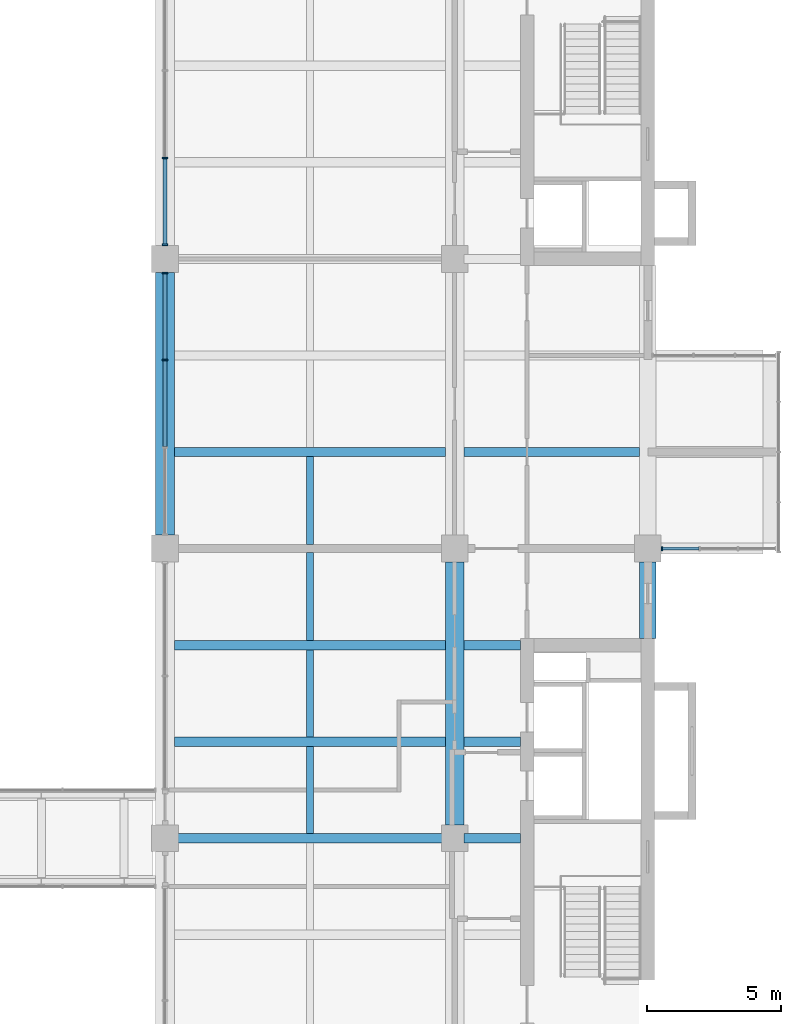
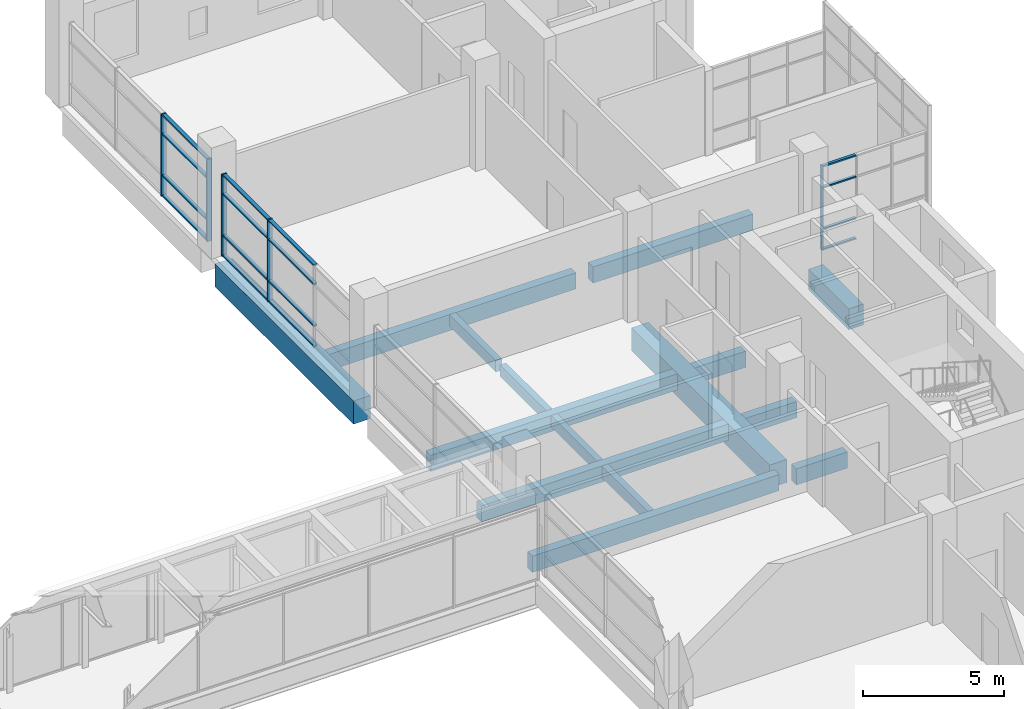
# One storey, part 14 of 35: 21 members, 15 beams, 3 elements without a shape of their own.
"""IFC4 building model written with IfcOpenShell, lengths in metres."""

from ifc_helpers import new_model, si_unit, direction, frame, origin, origin_2d, place, context, subcontext, project, spatial, rectangle, extrude, material, layer, layer_set, material_profile, profile_set, type_object, element, aggregate, save


model = new_model("IFC4")

# Units and contexts
model_context = context("Model", 3, precision=1e-05, world=origin(), true_north=direction((0.0, 1.0)))
body_context = subcontext(model_context, "Body", "Model", "MODEL_VIEW")
ifc_project = project(units=[si_unit("LENGTHUNIT", "METRE"), si_unit("AREAUNIT", "SQUARE_METRE"), si_unit("VOLUMEUNIT", "CUBIC_METRE"), si_unit("PLANEANGLEUNIT", "RADIAN"), si_unit("MASSUNIT", "GRAM", prefix="KILO")], contexts=[model_context])

# Site, building, storey
site_placement = place(None, origin())
site = spatial("IfcSite", under=ifc_project, at=site_placement, CompositionType="ELEMENT")
building_placement = place(site_placement, origin())
building = spatial("IfcBuilding", under=site, at=building_placement, Name="Basin Gate Institute", CompositionType="ELEMENT")
storey_placement = place(building_placement, frame((0.0, 0.0, 31.800048828125)))
storey = spatial("IfcBuildingStorey", under=building, at=storey_placement, Name="L06", CompositionType="ELEMENT", Elevation=31.800048828125)

# Beams
ifc_material_1 = material(Name="Concrete 40 MPa", Category="concrete")
ifc_material_profile_1 = material_profile(ifc_material_1, rectangle(XDim=0.35009765625, YDim=0.699951171875, at=origin_2d()), Name="Beam B1 350 x 700")
ifc_profile_set_1 = profile_set([ifc_material_profile_1], Name="Concrete 40 MPa")
beam_type_1 = type_object("IfcBeamType", Name="Beam B1 R120", PredefinedType="BEAM", material=ifc_profile_set_1)
beam_1_placement = place(storey_placement, frame((111.25, 67.5, -0.60009765625), z_axis=(-1.0, 0.0, 0.0), x_axis=(0.0, -1.0, 0.0)))
element("IfcBeam", 1, at=beam_1_placement, inside=storey, type_object=beam_type_1, material=ifc_profile_set_1, Name="BEAM/L06/E/EW/10", PredefinedType="BEAM", context=body_context, shape_type="SweptSolid", body=[
    extrude(rectangle(XDim=0.35009765625, YDim=0.699951171875, at=origin_2d()), origin(), (0.0, 0.0, 1.0), 10.10009765625),
])
beam_2_placement = place(storey_placement, frame((114.050048828125, 67.5, -0.60009765625), z_axis=(-1.0, 0.0, 0.0), x_axis=(0.0, -1.0, 0.0)))
element("IfcBeam", 2, at=beam_2_placement, inside=storey, type_object=beam_type_1, material=ifc_profile_set_1, Name="BEAM/L06/E/CORR/10", PredefinedType="BEAM", context=body_context, shape_type="SweptSolid", body=[
    extrude(rectangle(XDim=0.35009765625, YDim=0.699951171875, at=origin_2d()), origin(), (0.0, 0.0, 1.0), 2.10009765625),
])
beam_3_placement = place(storey_placement, frame((111.25, 71.10009765625, -0.60009765625), z_axis=(-1.0, 0.0, 0.0), x_axis=(0.0, -1.0, 0.0)))
element("IfcBeam", 3, at=beam_3_placement, inside=storey, type_object=beam_type_1, material=ifc_profile_set_1, Name="BEAM/L06/E/EW/11", PredefinedType="BEAM", context=body_context, shape_type="SweptSolid", body=[
    extrude(rectangle(XDim=0.35009765625, YDim=0.699951171875, at=origin_2d()), origin(), (0.0, 0.0, 1.0), 10.10009765625),
])
beam_4_placement = place(storey_placement, frame((114.050048828125, 71.10009765625, -0.60009765625), z_axis=(-1.0, 0.0, 0.0), x_axis=(0.0, -1.0, 0.0)))
element("IfcBeam", 4, at=beam_4_placement, inside=storey, type_object=beam_type_1, material=ifc_profile_set_1, Name="BEAM/L06/E/CORR/11", PredefinedType="BEAM", context=body_context, shape_type="SweptSolid", body=[
    extrude(rectangle(XDim=0.35009765625, YDim=0.699951171875, at=origin_2d()), origin(), (0.0, 0.0, 1.0), 2.10009765625),
])
beam_5_placement = place(storey_placement, frame((111.25, 74.699951171875, -0.60009765625), z_axis=(-1.0, 0.0, 0.0), x_axis=(0.0, -1.0, 0.0)))
element("IfcBeam", 5, at=beam_5_placement, inside=storey, type_object=beam_type_1, material=ifc_profile_set_1, Name="BEAM/L06/E/EW/12", PredefinedType="BEAM", context=body_context, shape_type="SweptSolid", body=[
    extrude(rectangle(XDim=0.35009765625, YDim=0.699951171875, at=origin_2d()), origin(), (0.0, 0.0, 1.0), 10.10009765625),
])
beam_6_placement = place(storey_placement, frame((114.050048828125, 74.699951171875, -0.60009765625), z_axis=(-1.0, 0.0, 0.0), x_axis=(0.0, -1.0, 0.0)))
element("IfcBeam", 6, at=beam_6_placement, inside=storey, type_object=beam_type_1, material=ifc_profile_set_1, Name="BEAM/L06/E/CORR/12", PredefinedType="BEAM", context=body_context, shape_type="SweptSolid", body=[
    extrude(rectangle(XDim=0.35009765625, YDim=0.699951171875, at=origin_2d()), origin(), (0.0, 0.0, 1.0), 2.10009765625),
])
beam_7_placement = place(storey_placement, frame((111.25, 81.89990234375, -0.60009765625), z_axis=(-1.0, 0.0, 0.0), x_axis=(0.0, -1.0, 0.0)))
element("IfcBeam", 7, at=beam_7_placement, inside=storey, type_object=beam_type_1, material=ifc_profile_set_1, Name="BEAM/L06/E/EW/14", PredefinedType="BEAM", context=body_context, shape_type="SweptSolid", body=[
    extrude(rectangle(XDim=0.35009765625, YDim=0.699951171875, at=origin_2d()), origin(), (0.0, 0.0, 1.0), 10.10009765625),
])
beam_8_placement = place(storey_placement, frame((118.5, 81.89990234375, -0.60009765625), z_axis=(-1.0, 0.0, 0.0), x_axis=(0.0, -1.0, 0.0)))
element("IfcBeam", 8, at=beam_8_placement, inside=storey, type_object=beam_type_1, material=ifc_profile_set_1, Name="BEAM/L06/E/OUT/14", PredefinedType="BEAM", context=body_context, shape_type="SweptSolid", body=[
    extrude(rectangle(XDim=0.35009765625, YDim=0.699951171875, at=origin_2d()), origin(), (0.0, 0.0, 1.0), 6.550048828125),
])
ifc_material_2 = material(Name="Concrete 50 MPa", Category="concrete")
ifc_material_profile_2 = material_profile(ifc_material_2, rectangle(XDim=0.60009765625, YDim=0.89990234375, at=origin_2d()), Name="Edge return beam EB3 600 x 900")
ifc_profile_set_2 = profile_set([ifc_material_profile_2], Name="Concrete 50 MPa")
beam_type_2 = type_object("IfcBeamType", Name="Edge return beam EB3 R120", PredefinedType="SPANDREL", material=ifc_profile_set_2)
beam_9_placement = place(storey_placement, frame((118.800048828125, 74.949951171875, -0.699951171875), z_axis=(0.0, 1.0, 0.0), x_axis=(-1.0, 0.0, 0.0)))
element("IfcBeam", 9, at=beam_9_placement, inside=storey, type_object=beam_type_2, material=ifc_profile_set_2, Name="BEAM/L06/E/EDGE/3", PredefinedType="SPANDREL", context=body_context, shape_type="SweptSolid", body=[
    extrude(rectangle(XDim=0.60009765625, YDim=0.89990234375, at=origin_2d()), origin(), (0.0, 0.0, 1.0), 2.85009765625),
])
ifc_material_3 = material(Name="Concrete 50 MPa", Category="concrete")
ifc_material_profile_3 = material_profile(ifc_material_3, rectangle(XDim=0.699951171875, YDim=1.0, at=origin_2d()), Name="Girder G1 700 x 1000")
ifc_profile_set_3 = profile_set([ifc_material_profile_3], Name="Concrete 50 MPa")
beam_type_3 = type_object("IfcBeamType", Name="Girder G1 R120", PredefinedType="BEAM", material=ifc_profile_set_3)
for number, where, z_axis, x_axis, name in (
    (10, (111.60009765625, 68.0, -0.75), (0.0, 1.0, 0.0), (-1.0, 0.0, 0.0), "GIR/L06/E8/4"),
    (11, (100.800048828125, 78.800048828125, -0.75), (0.0, 1.0, 0.0), (-1.0, 0.0, 0.0), "GIR/L06/E7/5"),
):
    element("IfcBeam", number, at=place(storey_placement, frame(where, z_axis=z_axis, x_axis=x_axis)), inside=storey, type_object=beam_type_3, material=ifc_profile_set_3, Name=name, PredefinedType="BEAM", context=body_context, shape_type="SweptSolid", body=[
        extrude(rectangle(XDim=0.699951171875, YDim=1.0, at=origin_2d()), origin(), (0.0, 0.0, 1.0), 9.800048828125),
    ])

# Curtain wall, member
ifc_material_4 = material(Name="Aluminium-framed glazing", Category="aluminium")
ifc_layer_1 = layer(ifc_material_4, 0.14990234375)
ifc_layer_set_1 = layer_set([ifc_layer_1], Name="Capsule front curtain wall CW1")
curtain_wall_type_1 = type_object("IfcCurtainWallType", Name="Capsule front curtain wall CW1", PredefinedType="NOTDEFINED", material=ifc_layer_set_1)
curtain_wall_1_placement = place(storey_placement, origin())
curtain_wall_1 = element("IfcCurtainWall", 12, at=curtain_wall_1_placement, inside=storey, type_object=curtain_wall_type_1, material=ifc_layer_set_1, Name="Capsule front curtain wall E wing capsule end L06 line 13", PredefinedType="NOTDEFINED")
ifc_material_5 = material(Name="Aluminium", Category="aluminium")
ifc_material_profile_4 = material_profile(ifc_material_5, rectangle(XDim=0.14990234375, YDim=0.050048828125, at=origin_2d()), Name="Mullion MU1 150 x 50")
ifc_profile_set_4 = profile_set([ifc_material_profile_4], Name="Aluminium")
member_type_1 = type_object("IfcMemberType", Name="Mullion MU1", PredefinedType="MULLION", material=ifc_profile_set_4)
member_1_placement = place(storey_placement, frame((119.324951171875, 78.300048828125, 0.0), z_axis=(0.0, 0.0, 1.0), x_axis=(0.0, -1.0, 0.0)))
member_1 = element("IfcMember", 13, at=member_1_placement, type_object=member_type_1, material=ifc_profile_set_4, Name="CW1 mullion 4", PredefinedType="MULLION", context=body_context, shape_type="SweptSolid", body=[
    extrude(rectangle(XDim=0.14990234375, YDim=0.050048828125, at=origin_2d()), origin(), (0.0, 0.0, 1.0), 3.64990234375),
])

# Curtain wall, members
ifc_material_6 = material(Name="Aluminium-framed glazing", Category="aluminium")
ifc_layer_2 = layer(ifc_material_6, 0.199951171875)
ifc_layer_set_2 = layer_set([ifc_layer_2], Name="Atrium curtain wall CW2")
curtain_wall_type_2 = type_object("IfcCurtainWallType", Name="Atrium curtain wall CW2", PredefinedType="NOTDEFINED", material=ifc_layer_set_2)
curtain_wall_2_placement = place(storey_placement, origin())
curtain_wall_2 = element("IfcCurtainWall", 14, at=curtain_wall_2_placement, inside=storey, type_object=curtain_wall_type_2, material=ifc_layer_set_2, Name="Atrium curtain wall E wing atrium bay 5 L06", PredefinedType="NOTDEFINED")
ifc_material_7 = material(Name="Aluminium", Category="aluminium")
ifc_material_profile_5 = material_profile(ifc_material_7, rectangle(XDim=0.199951171875, YDim=0.06005859375, at=origin_2d()), Name="Mullion MU2 200 x 60")
ifc_profile_set_5 = profile_set([ifc_material_profile_5], Name="Aluminium")
member_type_2 = type_object("IfcMemberType", Name="Mullion MU2", PredefinedType="MULLION", material=ifc_profile_set_5)
member_2_placement = place(storey_placement, frame((100.800048828125, 85.333251953125, 0.0), z_axis=(0.0, 0.0, 1.0), x_axis=(-1.0, 0.0, 0.0)))
member_2 = element("IfcMember", 15, at=member_2_placement, type_object=member_type_2, material=ifc_profile_set_5, Name="CW2 mullion 3", PredefinedType="MULLION", context=body_context, shape_type="SweptSolid", body=[
    extrude(rectangle(XDim=0.199951171875, YDim=0.06005859375, at=origin_2d()), origin(), (0.0, 0.0, 1.0), 3.550048828125),
])
member_3_placement = place(storey_placement, frame((100.800048828125, 88.570068359375, 0.0), z_axis=(0.0, 0.0, 1.0), x_axis=(-1.0, 0.0, 0.0)))
member_3 = element("IfcMember", 16, at=member_3_placement, type_object=member_type_2, material=ifc_profile_set_5, Name="CW2 mullion 4", PredefinedType="MULLION", context=body_context, shape_type="SweptSolid", body=[
    extrude(rectangle(XDim=0.199951171875, YDim=0.06005859375, at=origin_2d()), origin(), (0.0, 0.0, 1.0), 3.550048828125),
])

curtain_wall_3_placement = place(storey_placement, origin())
curtain_wall_3 = element("IfcCurtainWall", 17, at=curtain_wall_3_placement, inside=storey, type_object=curtain_wall_type_2, material=ifc_layer_set_2, Name="Atrium curtain wall E wing atrium bay 6 L06", PredefinedType="NOTDEFINED")
member_4_placement = place(storey_placement, frame((100.800048828125, 89.6298828125, 0.0), z_axis=(0.0, 0.0, 1.0), x_axis=(-1.0, 0.0, 0.0)))
member_4 = element("IfcMember", 18, at=member_4_placement, type_object=member_type_2, material=ifc_profile_set_5, Name="CW2 mullion 1", PredefinedType="MULLION", context=body_context, shape_type="SweptSolid", body=[
    extrude(rectangle(XDim=0.199951171875, YDim=0.06005859375, at=origin_2d()), origin(), (0.0, 0.0, 1.0), 3.550048828125),
])
member_5_placement = place(storey_placement, frame((100.800048828125, 92.86669921875, 0.0), z_axis=(0.0, 0.0, 1.0), x_axis=(-1.0, 0.0, 0.0)))
member_5 = element("IfcMember", 19, at=member_5_placement, type_object=member_type_2, material=ifc_profile_set_5, Name="CW2 mullion 2", PredefinedType="MULLION", context=body_context, shape_type="SweptSolid", body=[
    extrude(rectangle(XDim=0.199951171875, YDim=0.06005859375, at=origin_2d()), origin(), (0.0, 0.0, 1.0), 3.550048828125),
])

# Beams
ifc_material_8 = material(Name="Concrete 40 MPa", Category="concrete")
ifc_material_profile_6 = material_profile(ifc_material_8, rectangle(XDim=0.25, YDim=0.5, at=origin_2d()), Name="Rib R1 250 x 500")
ifc_profile_set_6 = profile_set([ifc_material_profile_6], Name="Concrete 40 MPa")
beam_type_4 = type_object("IfcBeamType", Name="Rib R1 R120", PredefinedType="JOIST", material=ifc_profile_set_6)
for number, where, z_axis, x_axis, name in (
    (20, (106.199951171875, 67.675048828125, -0.5), (0.0, 1.0, 0.0), (-1.0, 0.0, 0.0), "BEAM/L06/E/RIB/10"),
    (21, (106.199951171875, 71.27490234375, -0.5), (0.0, 1.0, 0.0), (-1.0, 0.0, 0.0), "BEAM/L06/E/RIB/11"),
):
    element("IfcBeam", number, at=place(storey_placement, frame(where, z_axis=z_axis, x_axis=x_axis)), inside=storey, type_object=beam_type_4, material=ifc_profile_set_6, Name=name, PredefinedType="JOIST", context=body_context, shape_type="SweptSolid", body=[
        extrude(rectangle(XDim=0.25, YDim=0.5, at=origin_2d()), origin(), (0.0, 0.0, 1.0), 3.25),
    ])
beam_10_placement = place(storey_placement, frame((106.199951171875, 74.875, -0.5), z_axis=(0.0, 1.0, 0.0), x_axis=(-1.0, 0.0, 0.0)))
element("IfcBeam", 22, at=beam_10_placement, inside=storey, type_object=beam_type_4, material=ifc_profile_set_6, Name="BEAM/L06/E/RIB/12", PredefinedType="JOIST", context=body_context, shape_type="SweptSolid", body=[
    extrude(rectangle(XDim=0.25, YDim=0.5, at=origin_2d()), origin(), (0.0, 0.0, 1.0), 3.27490234375),
])
beam_11_placement = place(storey_placement, frame((106.199951171875, 78.449951171875, -0.5), z_axis=(0.0, 1.0, 0.0), x_axis=(-1.0, 0.0, 0.0)))
element("IfcBeam", 23, at=beam_11_placement, inside=storey, type_object=beam_type_4, material=ifc_profile_set_6, Name="BEAM/L06/E/RIB/13", PredefinedType="JOIST", context=body_context, shape_type="SweptSolid", body=[
    extrude(rectangle(XDim=0.25, YDim=0.5, at=origin_2d()), origin(), (0.0, 0.0, 1.0), 3.275146484375),
])

# Member
ifc_material_9 = material(Name="Aluminium", Category="aluminium")
ifc_material_profile_7 = material_profile(ifc_material_9, rectangle(XDim=0.1201171875, YDim=0.06005859375, at=origin_2d()), Name="Transom TR1 120 x 60")
ifc_profile_set_7 = profile_set([ifc_material_profile_7], Name="Aluminium")
member_type_3 = type_object("IfcMemberType", Name="Transom TR1", PredefinedType="USERDEFINED", material=ifc_profile_set_7)
member_6_placement = place(storey_placement, frame((120.708251953125, 78.300048828125, 0.030029296875), z_axis=(-1.0, 0.0, 0.0), x_axis=(0.0, -1.0, 0.0)))
member_6 = element("IfcMember", 24, at=member_6_placement, type_object=member_type_3, material=ifc_profile_set_7, Name="CW1 transom 3.1", ObjectType="TRANSOM", PredefinedType="USERDEFINED", context=body_context, shape_type="SweptSolid", body=[
    extrude(rectangle(XDim=0.1201171875, YDim=0.06005859375, at=origin_2d()), origin(), (0.0, 0.0, 1.0), 1.358154296875),
])

member_7_placement = place(storey_placement, frame((120.708251953125, 78.300048828125, 0.89990234375), z_axis=(-1.0, 0.0, 0.0), x_axis=(0.0, -1.0, 0.0)))
member_7 = element("IfcMember", 25, at=member_7_placement, type_object=member_type_3, material=ifc_profile_set_7, Name="CW1 transom 3.2", ObjectType="TRANSOM", PredefinedType="USERDEFINED", context=body_context, shape_type="SweptSolid", body=[
    extrude(rectangle(XDim=0.1201171875, YDim=0.06005859375, at=origin_2d()), origin(), (0.0, 0.0, 1.0), 1.358154296875),
])

member_8_placement = place(storey_placement, frame((120.708251953125, 78.300048828125, 2.699951171875), z_axis=(-1.0, 0.0, 0.0), x_axis=(0.0, -1.0, 0.0)))
member_8 = element("IfcMember", 26, at=member_8_placement, type_object=member_type_3, material=ifc_profile_set_7, Name="CW1 transom 3.3", ObjectType="TRANSOM", PredefinedType="USERDEFINED", context=body_context, shape_type="SweptSolid", body=[
    extrude(rectangle(XDim=0.1201171875, YDim=0.06005859375, at=origin_2d()), origin(), (0.0, 0.0, 1.0), 1.358154296875),
])

member_9_placement = place(storey_placement, frame((120.708251953125, 78.300048828125, 3.619873046875), z_axis=(-1.0, 0.0, 0.0), x_axis=(0.0, -1.0, 0.0)))
member_9 = element("IfcMember", 27, at=member_9_placement, type_object=member_type_3, material=ifc_profile_set_7, Name="CW1 transom 3.4", ObjectType="TRANSOM", PredefinedType="USERDEFINED", context=body_context, shape_type="SweptSolid", body=[
    extrude(rectangle(XDim=0.1201171875, YDim=0.06005859375, at=origin_2d()), origin(), (0.0, 0.0, 1.0), 1.358154296875),
])

aggregate(curtain_wall_1, [member_1, member_6, member_7, member_8, member_9])

ifc_material_10 = material(Name="Aluminium", Category="aluminium")
ifc_material_profile_8 = material_profile(ifc_material_10, rectangle(XDim=0.14990234375, YDim=0.06005859375, at=origin_2d()), Name="Transom TR2 150 x 60")
ifc_profile_set_8 = profile_set([ifc_material_profile_8], Name="Aluminium")
member_type_4 = type_object("IfcMemberType", Name="Transom TR2", PredefinedType="USERDEFINED", material=ifc_profile_set_8)
member_10_placement = place(storey_placement, frame((100.800048828125, 82.0966796875, 0.030029296875), z_axis=(0.0, 1.0, 0.0), x_axis=(-1.0, 0.0, 0.0)))
member_10 = element("IfcMember", 28, at=member_10_placement, type_object=member_type_4, material=ifc_profile_set_8, Name="CW2 transom 2.1", ObjectType="TRANSOM", PredefinedType="USERDEFINED", context=body_context, shape_type="SweptSolid", body=[
    extrude(rectangle(XDim=0.14990234375, YDim=0.06005859375, at=origin_2d()), origin(), (0.0, 0.0, 1.0), 3.20654296875),
])

member_11_placement = place(storey_placement, frame((100.800048828125, 82.0966796875, 0.89990234375), z_axis=(0.0, 1.0, 0.0), x_axis=(-1.0, 0.0, 0.0)))
member_11 = element("IfcMember", 29, at=member_11_placement, type_object=member_type_4, material=ifc_profile_set_8, Name="CW2 transom 2.2", ObjectType="TRANSOM", PredefinedType="USERDEFINED", context=body_context, shape_type="SweptSolid", body=[
    extrude(rectangle(XDim=0.14990234375, YDim=0.06005859375, at=origin_2d()), origin(), (0.0, 0.0, 1.0), 3.20654296875),
])

member_12_placement = place(storey_placement, frame((100.800048828125, 82.0966796875, 2.699951171875), z_axis=(0.0, 1.0, 0.0), x_axis=(-1.0, 0.0, 0.0)))
member_12 = element("IfcMember", 30, at=member_12_placement, type_object=member_type_4, material=ifc_profile_set_8, Name="CW2 transom 2.3", ObjectType="TRANSOM", PredefinedType="USERDEFINED", context=body_context, shape_type="SweptSolid", body=[
    extrude(rectangle(XDim=0.14990234375, YDim=0.06005859375, at=origin_2d()), origin(), (0.0, 0.0, 1.0), 3.20654296875),
])

member_13_placement = place(storey_placement, frame((100.800048828125, 82.0966796875, 3.52001953125), z_axis=(0.0, 1.0, 0.0), x_axis=(-1.0, 0.0, 0.0)))
member_13 = element("IfcMember", 31, at=member_13_placement, type_object=member_type_4, material=ifc_profile_set_8, Name="CW2 transom 2.4", ObjectType="TRANSOM", PredefinedType="USERDEFINED", context=body_context, shape_type="SweptSolid", body=[
    extrude(rectangle(XDim=0.14990234375, YDim=0.06005859375, at=origin_2d()), origin(), (0.0, 0.0, 1.0), 3.20654296875),
])

member_14_placement = place(storey_placement, frame((100.800048828125, 85.36328125, 0.030029296875), z_axis=(0.0, 1.0, 0.0), x_axis=(-1.0, 0.0, 0.0)))
member_14 = element("IfcMember", 32, at=member_14_placement, type_object=member_type_4, material=ifc_profile_set_8, Name="CW2 transom 3.1", ObjectType="TRANSOM", PredefinedType="USERDEFINED", context=body_context, shape_type="SweptSolid", body=[
    extrude(rectangle(XDim=0.14990234375, YDim=0.06005859375, at=origin_2d()), origin(), (0.0, 0.0, 1.0), 3.1767578125),
])

member_15_placement = place(storey_placement, frame((100.800048828125, 85.36328125, 0.89990234375), z_axis=(0.0, 1.0, 0.0), x_axis=(-1.0, 0.0, 0.0)))
member_15 = element("IfcMember", 33, at=member_15_placement, type_object=member_type_4, material=ifc_profile_set_8, Name="CW2 transom 3.2", ObjectType="TRANSOM", PredefinedType="USERDEFINED", context=body_context, shape_type="SweptSolid", body=[
    extrude(rectangle(XDim=0.14990234375, YDim=0.06005859375, at=origin_2d()), origin(), (0.0, 0.0, 1.0), 3.1767578125),
])

member_16_placement = place(storey_placement, frame((100.800048828125, 85.36328125, 2.699951171875), z_axis=(0.0, 1.0, 0.0), x_axis=(-1.0, 0.0, 0.0)))
member_16 = element("IfcMember", 34, at=member_16_placement, type_object=member_type_4, material=ifc_profile_set_8, Name="CW2 transom 3.3", ObjectType="TRANSOM", PredefinedType="USERDEFINED", context=body_context, shape_type="SweptSolid", body=[
    extrude(rectangle(XDim=0.14990234375, YDim=0.06005859375, at=origin_2d()), origin(), (0.0, 0.0, 1.0), 3.1767578125),
])

member_17_placement = place(storey_placement, frame((100.800048828125, 85.36328125, 3.52001953125), z_axis=(0.0, 1.0, 0.0), x_axis=(-1.0, 0.0, 0.0)))
member_17 = element("IfcMember", 35, at=member_17_placement, type_object=member_type_4, material=ifc_profile_set_8, Name="CW2 transom 3.4", ObjectType="TRANSOM", PredefinedType="USERDEFINED", context=body_context, shape_type="SweptSolid", body=[
    extrude(rectangle(XDim=0.14990234375, YDim=0.06005859375, at=origin_2d()), origin(), (0.0, 0.0, 1.0), 3.1767578125),
])

aggregate(curtain_wall_2, [member_2, member_3, member_10, member_11, member_12, member_13, member_14, member_15, member_16, member_17])

member_18_placement = place(storey_placement, frame((100.800048828125, 89.659912109375, 0.030029296875), z_axis=(0.0, 1.0, 0.0), x_axis=(-1.0, 0.0, 0.0)))
member_18 = element("IfcMember", 36, at=member_18_placement, type_object=member_type_4, material=ifc_profile_set_8, Name="CW2 transom 1.1", ObjectType="TRANSOM", PredefinedType="USERDEFINED", context=body_context, shape_type="SweptSolid", body=[
    extrude(rectangle(XDim=0.14990234375, YDim=0.06005859375, at=origin_2d()), origin(), (0.0, 0.0, 1.0), 3.1767578125),
])

member_19_placement = place(storey_placement, frame((100.800048828125, 89.659912109375, 0.89990234375), z_axis=(0.0, 1.0, 0.0), x_axis=(-1.0, 0.0, 0.0)))
member_19 = element("IfcMember", 37, at=member_19_placement, type_object=member_type_4, material=ifc_profile_set_8, Name="CW2 transom 1.2", ObjectType="TRANSOM", PredefinedType="USERDEFINED", context=body_context, shape_type="SweptSolid", body=[
    extrude(rectangle(XDim=0.14990234375, YDim=0.06005859375, at=origin_2d()), origin(), (0.0, 0.0, 1.0), 3.1767578125),
])

member_20_placement = place(storey_placement, frame((100.800048828125, 89.659912109375, 2.699951171875), z_axis=(0.0, 1.0, 0.0), x_axis=(-1.0, 0.0, 0.0)))
member_20 = element("IfcMember", 38, at=member_20_placement, type_object=member_type_4, material=ifc_profile_set_8, Name="CW2 transom 1.3", ObjectType="TRANSOM", PredefinedType="USERDEFINED", context=body_context, shape_type="SweptSolid", body=[
    extrude(rectangle(XDim=0.14990234375, YDim=0.06005859375, at=origin_2d()), origin(), (0.0, 0.0, 1.0), 3.1767578125),
])

member_21_placement = place(storey_placement, frame((100.800048828125, 89.659912109375, 3.52001953125), z_axis=(0.0, 1.0, 0.0), x_axis=(-1.0, 0.0, 0.0)))
member_21 = element("IfcMember", 39, at=member_21_placement, type_object=member_type_4, material=ifc_profile_set_8, Name="CW2 transom 1.4", ObjectType="TRANSOM", PredefinedType="USERDEFINED", context=body_context, shape_type="SweptSolid", body=[
    extrude(rectangle(XDim=0.14990234375, YDim=0.06005859375, at=origin_2d()), origin(), (0.0, 0.0, 1.0), 3.1767578125),
])

aggregate(curtain_wall_3, [member_4, member_5, member_18, member_19, member_20, member_21])

save(model, "model.ifc")
